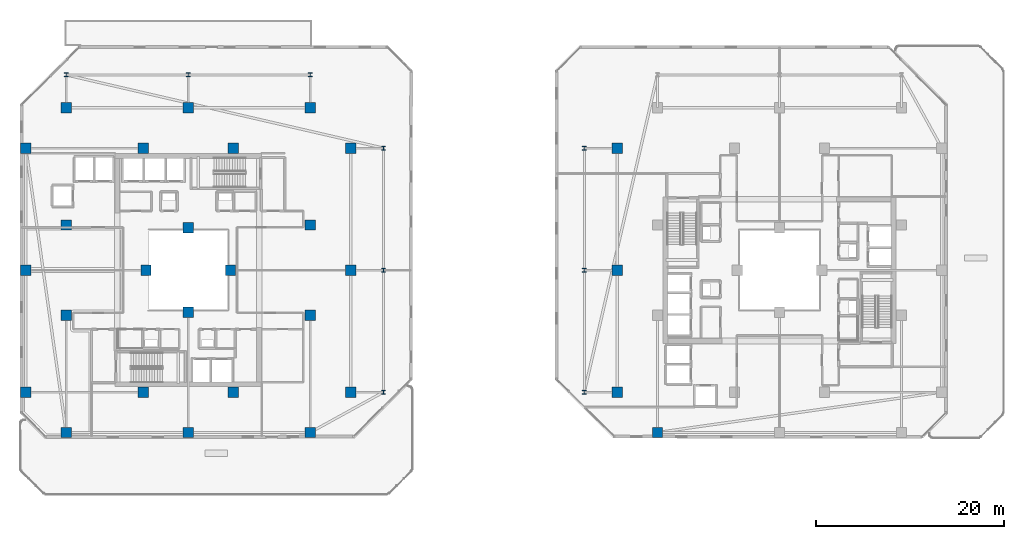
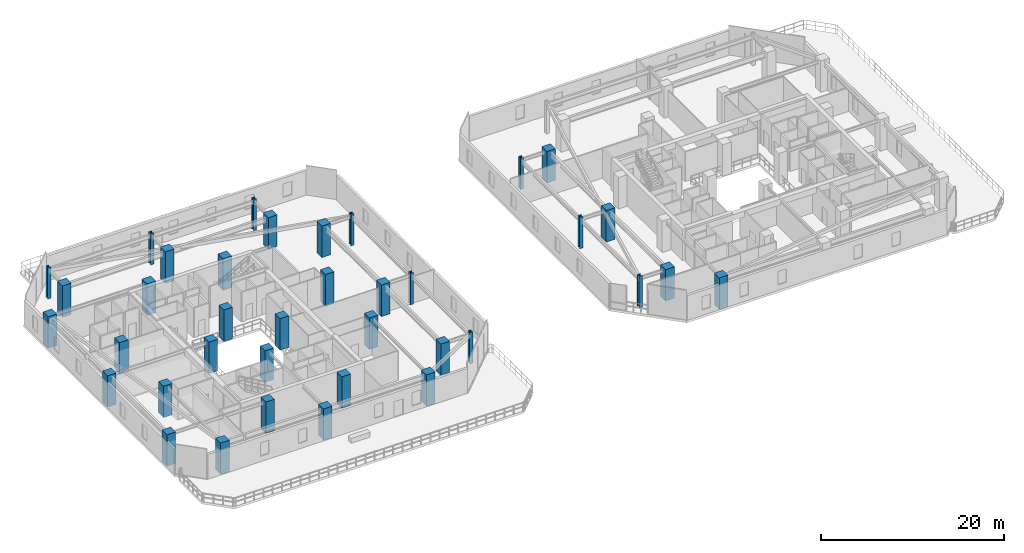
# One storey, part 1 of 33: 37 columns.
"""IFC4 building model written with IfcOpenShell, lengths in metres."""

from ifc_helpers import new_model, si_unit, direction, frame, origin, origin_2d, place, context, subcontext, project, spatial, rectangle, i_section, extrude, material, material_profile, profile_set, type_object, element, save


model = new_model("IFC4")

# Units and contexts
model_context = context("Model", 3, precision=1e-05, world=origin(), true_north=direction((0.0, 1.0)))
body_context = subcontext(model_context, "Body", "Model", "MODEL_VIEW")
ifc_project = project(units=[si_unit("LENGTHUNIT", "METRE"), si_unit("AREAUNIT", "SQUARE_METRE"), si_unit("VOLUMEUNIT", "CUBIC_METRE"), si_unit("PLANEANGLEUNIT", "RADIAN"), si_unit("MASSUNIT", "GRAM", prefix="KILO")], contexts=[model_context])

# Site, building, storey
site_placement = place(None, origin())
site = spatial("IfcSite", under=ifc_project, at=site_placement, CompositionType="ELEMENT")
building_placement = place(site_placement, origin())
building = spatial("IfcBuilding", under=site, at=building_placement, Name="Thornwick Lancets Civic Towers", CompositionType="ELEMENT")
storey_placement = place(building_placement, frame((0.0, 0.0, 174.300048828125)))
storey = spatial("IfcBuildingStorey", under=building, at=storey_placement, Name="L46", CompositionType="ELEMENT", Elevation=174.300048828125)

# Columns
ifc_material_1 = material(Name="Concrete C50/60", Category="concrete")
ifc_material_profile_1 = material_profile(ifc_material_1, rectangle(XDim=1.10009765625, YDim=1.10009765625, at=origin_2d()), Name="RC 1100x1100")
ifc_profile_set_1 = profile_set([ifc_material_profile_1], Name="Concrete C50/60")
column_type_1 = type_object("IfcColumnType", Name="COL_RC_1100", PredefinedType="COLUMN", material=ifc_profile_set_1)
for number, where, z_axis, x_axis, name in (
    (1, (12.5, 9.699951171875, 0.0), (0.0, 0.0, 1.0), (1.0, 0.0, 0.0), "L46 Spine Mega-Column A01"),
    (2, (25.5, 9.699951171875, 0.0), (0.0, 0.0, 1.0), (1.0, 0.0, 0.0), "L46 Spine Mega-Column A02"),
    (3, (38.5, 9.699951171875, 0.0), (0.0, 0.0, 1.0), (1.0, 0.0, 0.0), "L46 Spine Mega-Column A03"),
    (4, (42.800048828125, 14.0, 0.0), (0.0, 0.0, 1.0), (1.0, 0.0, 0.0), "L46 Spine Mega-Column A04"),
    (5, (42.800048828125, 27.0, 0.0), (0.0, 0.0, 1.0), (1.0, 0.0, 0.0), "L46 Spine Mega-Column A05"),
    (6, (42.800048828125, 40.0, 0.0), (0.0, 0.0, 1.0), (1.0, 0.0, 0.0), "L46 Spine Mega-Column A06"),
    (7, (12.5, 44.300048828125, 0.0), (0.0, 0.0, 1.0), (1.0, 0.0, 0.0), "L46 Spine Mega-Column A07"),
    (8, (25.5, 44.300048828125, 0.0), (0.0, 0.0, 1.0), (1.0, 0.0, 0.0), "L46 Spine Mega-Column A08"),
    (9, (38.5, 44.300048828125, 0.0), (0.0, 0.0, 1.0), (1.0, 0.0, 0.0), "L46 Spine Mega-Column A09"),
    (10, (8.199951171875, 14.0, 0.0), (0.0, 0.0, 1.0), (1.0, 0.0, 0.0), "L46 Spine Mega-Column A10"),
    (11, (8.199951171875, 27.0, 0.0), (0.0, 0.0, 1.0), (1.0, 0.0, 0.0), "L46 Spine Mega-Column A11"),
    (12, (8.199951171875, 40.0, 0.0), (0.0, 0.0, 1.0), (1.0, 0.0, 0.0), "L46 Spine Mega-Column A12"),
    (13, (12.5, 22.199951171875, 0.0), (0.0, 0.0, 1.0), (1.0, 0.0, 0.0), "L46 Spine Mega-Column A13"),
    (14, (38.5, 22.199951171875, 0.0), (0.0, 0.0, 1.0), (1.0, 0.0, 0.0), "L46 Spine Mega-Column A14"),
    (15, (12.5, 31.800048828125, 0.0), (0.0, 0.0, 1.0), (1.0, 0.0, 0.0), "L46 Spine Mega-Column A15"),
    (16, (38.5, 31.800048828125, 0.0), (0.0, 0.0, 1.0), (1.0, 0.0, 0.0), "L46 Spine Mega-Column A16"),
    (17, (20.699951171875, 14.0, 0.0), (0.0, 0.0, 1.0), (1.0, 0.0, 0.0), "L46 Spine Mega-Column A17"),
    (18, (30.300048828125, 14.0, 0.0), (0.0, 0.0, 1.0), (1.0, 0.0, 0.0), "L46 Spine Mega-Column A18"),
    (19, (20.699951171875, 40.0, 0.0), (0.0, 0.0, 1.0), (1.0, 0.0, 0.0), "L46 Spine Mega-Column A19"),
    (20, (30.300048828125, 40.0, 0.0), (0.0, 0.0, 1.0), (1.0, 0.0, 0.0), "L46 Spine Mega-Column A20"),
    (21, (25.5, 22.5, 0.0), (0.0, 0.0, 1.0), (1.0, 0.0, 0.0), "L46 Spine Mega-Column A21"),
    (22, (25.5, 31.5, 0.0), (0.0, 0.0, 1.0), (1.0, 0.0, 0.0), "L46 Spine Mega-Column A22"),
    (23, (21.0, 27.0, 0.0), (0.0, 0.0, 1.0), (1.0, 0.0, 0.0), "L46 Spine Mega-Column A23"),
    (24, (30.0, 27.0, 0.0), (0.0, 0.0, 1.0), (1.0, 0.0, 0.0), "L46 Spine Mega-Column A24"),
    (25, (71.199951171875, 14.0, 0.0), (0.0, 0.0, 1.0), (1.0, 0.0, 0.0), "L46 Spine Mega-Column B07"),
    (26, (71.199951171875, 27.0, 0.0), (0.0, 0.0, 1.0), (1.0, 0.0, 0.0), "L46 Spine Mega-Column B08"),
    (27, (71.199951171875, 40.0, 0.0), (0.0, 0.0, 1.0), (1.0, 0.0, 0.0), "L46 Spine Mega-Column B09"),
    (28, (75.5, 9.699951171875, 0.0), (0.0, 0.0, 1.0), (1.0, 0.0, 0.0), "L46 Spine Mega-Column B12"),
):
    element("IfcColumn", number, at=place(storey_placement, frame(where, z_axis=z_axis, x_axis=x_axis)), inside=storey, type_object=column_type_1, Name=name, PredefinedType="COLUMN", context=body_context, shape_type="SweptSolid", body=[
        extrude(rectangle(XDim=1.10009765625, YDim=1.10009765625, at=origin_2d()), origin(), (0.0, 0.0, 1.0), 4.199951171875),
    ])
ifc_material_2 = material(Name="Steel S460M", Category="steel")
ifc_material_profile_2 = material_profile(ifc_material_2, i_section(OverallWidth=0.406982421875, OverallDepth=0.4189453125, WebThickness=0.030517578125, FlangeThickness=0.04931640625, FilletRadius=0.01513671875, at=origin_2d()), Name="UKC 356x406x393")
ifc_profile_set_2 = profile_set([ifc_material_profile_2], Name="Steel S460M")
column_type_2 = type_object("IfcColumnType", Name="COL_UKC_393", PredefinedType="COLUMN", material=ifc_profile_set_2)
for number, where, z_axis, x_axis, name in (
    (29, (46.300048828125, 14.0, 0.0), (0.0, 0.0, 1.0), (1.0, 0.0, 0.0), "L46 Block Perimeter Column A04"),
    (30, (46.300048828125, 27.0, 0.0), (0.0, 0.0, 1.0), (1.0, 0.0, 0.0), "L46 Block Perimeter Column A05"),
    (31, (46.300048828125, 40.0, 0.0), (0.0, 0.0, 1.0), (1.0, 0.0, 0.0), "L46 Block Perimeter Column A06"),
    (32, (12.5, 47.800048828125, 0.0), (0.0, 0.0, 1.0), (1.0, 0.0, 0.0), "L46 Block Perimeter Column A07"),
    (33, (25.5, 47.800048828125, 0.0), (0.0, 0.0, 1.0), (1.0, 0.0, 0.0), "L46 Block Perimeter Column A08"),
    (34, (38.5, 47.800048828125, 0.0), (0.0, 0.0, 1.0), (1.0, 0.0, 0.0), "L46 Block Perimeter Column A09"),
    (35, (67.699951171875, 14.0, 0.0), (0.0, 0.0, 1.0), (1.0, 0.0, 0.0), "L46 Block Perimeter Column B07"),
    (36, (67.699951171875, 27.0, 0.0), (0.0, 0.0, 1.0), (1.0, 0.0, 0.0), "L46 Block Perimeter Column B08"),
    (37, (67.699951171875, 40.0, 0.0), (0.0, 0.0, 1.0), (1.0, 0.0, 0.0), "L46 Block Perimeter Column B09"),
):
    element("IfcColumn", number, at=place(storey_placement, frame(where, z_axis=z_axis, x_axis=x_axis)), inside=storey, type_object=column_type_2, Name=name, PredefinedType="COLUMN", context=body_context, shape_type="SweptSolid", body=[
        extrude(i_section(OverallWidth=0.406982421875, OverallDepth=0.4189453125, WebThickness=0.030517578125, FlangeThickness=0.04931640625, FilletRadius=0.01513671875, at=origin_2d()), origin(), (0.0, 0.0, 1.0), 4.199951171875),
    ])

save(model, "model.ifc")
